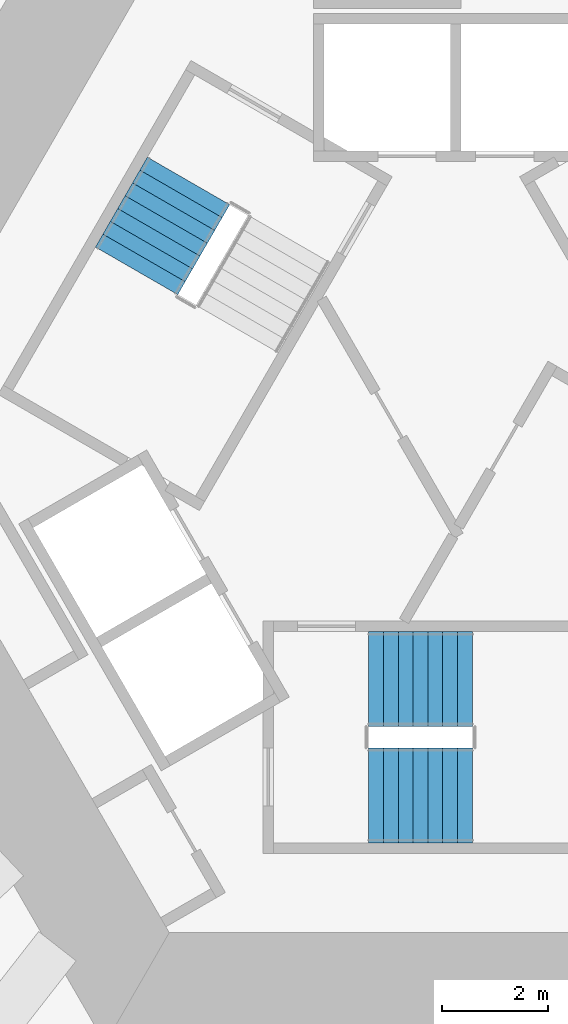
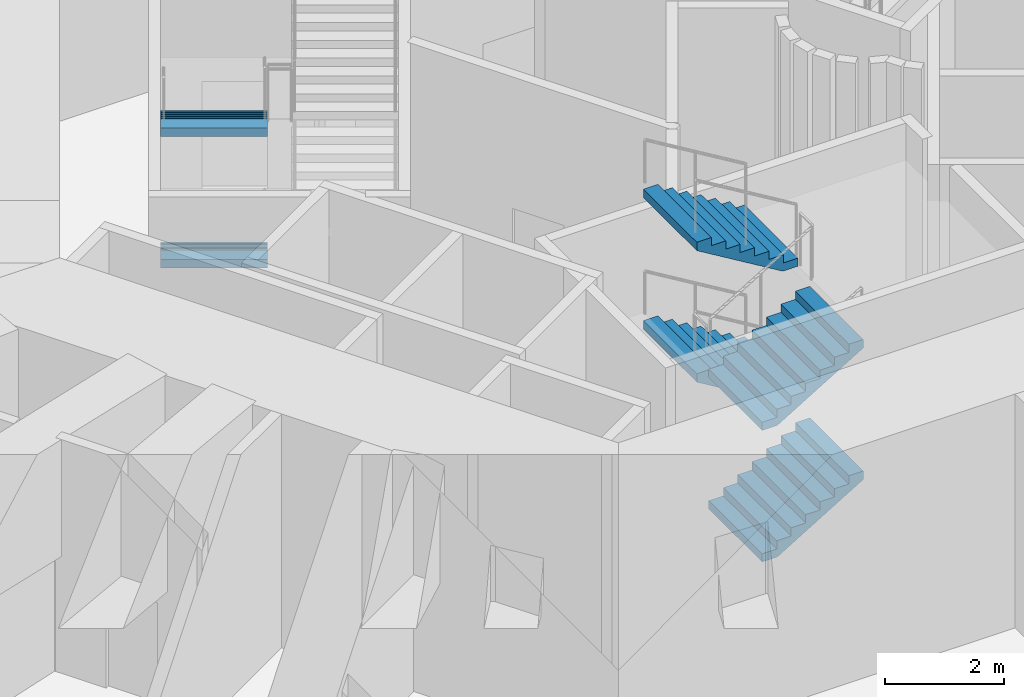
# One storey, part 13 of 21: 6 stair flights, 2 elements without a shape of their own.
"""IFC4 building model written with IfcOpenShell, lengths in metres."""

from ifc_helpers import new_model, si_unit, direction, frame, origin, place, context, subcontext, project, spatial, triangles, material, type_object, element, aggregate, save


model = new_model("IFC4")

# Units and contexts
model_context = context("Model", 3, precision=1e-05, world=origin(), true_north=direction((0.0, 1.0)))
body_context = subcontext(model_context, "Body", "Model", "MODEL_VIEW")
ifc_project = project(units=[si_unit("LENGTHUNIT", "METRE"), si_unit("AREAUNIT", "SQUARE_METRE"), si_unit("VOLUMEUNIT", "CUBIC_METRE"), si_unit("PLANEANGLEUNIT", "RADIAN"), si_unit("MASSUNIT", "GRAM", prefix="KILO")], contexts=[model_context])

# Site, building, storey
site_placement = place(None, origin())
site = spatial("IfcSite", under=ifc_project, at=site_placement, CompositionType="ELEMENT")
building_placement = place(site_placement, origin())
building = spatial("IfcBuilding", under=site, at=building_placement, Name="Entoto Arch Interchange Tower", CompositionType="ELEMENT")
storey_placement = place(building_placement, frame((0.0, 0.0, 236.0)))
storey = spatial("IfcBuildingStorey", under=building, at=storey_placement, Name="L53", CompositionType="ELEMENT", Elevation=236.0)

# Stair, stair flights
ifc_material = material(Name="Concrete C40/50", Category="concrete")
stair_type = type_object("IfcStairType", Name="EXIT STAIR RC 1800", PredefinedType="HALF_TURN_STAIR", material=ifc_material)
stair_1_placement = place(storey_placement, origin())
stair_1 = element("IfcStair", 1, at=stair_1_placement, inside=storey, type_object=stair_type, Name="L53 Exit stair S", PredefinedType="HALF_TURN_STAIR")
stair_flight_type = type_object("IfcStairFlightType", Name="EXIT STAIR FLIGHT RC 1800", PredefinedType="STRAIGHT", material=ifc_material)
stair_flight_1_placement = place(storey_placement, frame((-1.64990234375, -4.300048828125, 0.0), z_axis=(0.0, 0.0, 1.0), x_axis=(1.0, 0.0, 0.0)))
stair_flight_1 = element("IfcStairFlight", 2, at=stair_flight_1_placement, type_object=stair_flight_type, Name="ST-S flight 1", NumberOfRisers=8, NumberOfTreads=7, PredefinedType="STRAIGHT", RiserHeight=0.16875, TreadLength=0.28, context=body_context, shape_type="Tessellation", body=[
    triangles([(-0.003, -0.900024, 0.0), (-0.003, -0.900024, 0.16875), (0.28, -0.900024, 0.16875), (0.28, -0.900024, 0.3375), (0.56, -0.900024, 0.3375), (0.56, -0.900024, 0.50625), (0.84, -0.900024, 0.50625), (0.84, -0.900024, 0.675), (1.12, -0.900024, 0.675), (1.12, -0.900024, 0.84375), (1.4, -0.900024, 0.84375), (1.4, -0.900024, 1.0125), (1.68, -0.900024, 1.0125), (1.68, -0.900024, 1.18125), (1.96, -0.900024, 1.18125), (1.963, -0.900024, 1.18125), (1.963, -0.900024, 1.008036), (0.290406, -0.900024, 0.0), (-0.003, 0.900024, 0.0), (-0.003, 0.900024, 0.16875), (0.28, 0.900024, 0.16875), (0.28, 0.900024, 0.3375), (0.56, 0.900024, 0.3375), (0.56, 0.900024, 0.50625), (0.84, 0.900024, 0.50625), (0.84, 0.900024, 0.675), (1.12, 0.900024, 0.675), (1.12, 0.900024, 0.84375), (1.4, 0.900024, 0.84375), (1.4, 0.900024, 1.0125), (1.68, 0.900024, 1.0125), (1.68, 0.900024, 1.18125), (1.96, 0.900024, 1.18125), (1.963, 0.900024, 1.18125), (1.963, 0.900024, 1.008036), (0.290406, 0.900024, 0.0), (-0.003, -0.450012, 0.0), (-0.003, -0.450012, 0.16875), (-0.003, 0.0, 0.0), (-0.003, 0.0, 0.16875), (-0.003, 0.450012, 0.0), (-0.003, 0.450012, 0.16875), (0.28, -0.450012, 0.16875), (0.28, 0.0, 0.16875), (0.28, 0.450012, 0.16875), (0.28, -0.450012, 0.3375), (0.28, 0.0, 0.3375), (0.28, 0.450012, 0.3375), (0.56, -0.450012, 0.3375), (0.56, 0.0, 0.3375), (0.56, 0.450012, 0.3375), (0.56, -0.450012, 0.50625), (0.56, 0.0, 0.50625), (0.56, 0.450012, 0.50625), (0.84, -0.450012, 0.50625), (0.84, 0.0, 0.50625), (0.84, 0.450012, 0.50625), (0.84, -0.450012, 0.675), (0.84, 0.0, 0.675), (0.84, 0.450012, 0.675), (1.12, -0.450012, 0.675), (1.12, 0.0, 0.675), (1.12, 0.450012, 0.675), (1.12, -0.450012, 0.84375), (1.12, 0.0, 0.84375), (1.12, 0.450012, 0.84375), (1.4, -0.450012, 0.84375), (1.4, 0.0, 0.84375), (1.4, 0.450012, 0.84375), (1.4, -0.450012, 1.0125), (1.4, 0.0, 1.0125), (1.4, 0.450012, 1.0125), (1.68, -0.450012, 1.0125), (1.68, 0.0, 1.0125), (1.68, 0.450012, 1.0125), (1.68, -0.450012, 1.18125), (1.68, 0.0, 1.18125), (1.68, 0.450012, 1.18125), (1.96, -0.450012, 1.18125), (1.96, 0.0, 1.18125), (1.96, 0.450012, 1.18125), (1.963, -0.450012, 1.18125), (1.963, 0.0, 1.18125), (1.963, 0.450012, 1.18125), (1.963, -0.450012, 1.008036), (1.963, 0.0, 1.008036), (1.963, 0.450012, 1.008036), (0.290406, -0.450012, 0.0), (0.290406, 0.0, 0.0), (0.290406, 0.450012, 0.0)], [[1, 18, 17], [17, 16, 15], [17, 15, 14], [17, 14, 13], [17, 13, 12], [17, 12, 11], [11, 10, 9], [17, 11, 9], [9, 8, 7], [17, 9, 7], [7, 6, 5], [17, 7, 5], [5, 4, 3], [17, 5, 3], [1, 17, 3], [3, 2, 1], [19, 35, 36], [35, 33, 34], [35, 32, 33], [35, 31, 32], [35, 30, 31], [35, 29, 30], [29, 27, 28], [35, 27, 29], [27, 25, 26], [35, 25, 27], [25, 23, 24], [35, 23, 25], [23, 21, 22], [35, 21, 23], [19, 21, 35], [21, 19, 20], [1, 2, 38], [1, 38, 37], [37, 38, 40], [37, 40, 39], [39, 40, 42], [39, 42, 41], [41, 42, 20], [41, 20, 19], [2, 3, 43], [2, 43, 38], [38, 43, 44], [38, 44, 40], [40, 44, 45], [40, 45, 42], [42, 45, 21], [42, 21, 20], [3, 4, 46], [3, 46, 43], [43, 46, 47], [43, 47, 44], [44, 47, 48], [44, 48, 45], [45, 48, 22], [45, 22, 21], [4, 5, 49], [4, 49, 46], [46, 49, 50], [46, 50, 47], [47, 50, 51], [47, 51, 48], [48, 51, 23], [48, 23, 22], [5, 6, 52], [5, 52, 49], [49, 52, 53], [49, 53, 50], [50, 53, 54], [50, 54, 51], [51, 54, 24], [51, 24, 23], [6, 7, 55], [6, 55, 52], [52, 55, 56], [52, 56, 53], [53, 56, 57], [53, 57, 54], [54, 57, 25], [54, 25, 24], [7, 8, 58], [7, 58, 55], [55, 58, 59], [55, 59, 56], [56, 59, 60], [56, 60, 57], [57, 60, 26], [57, 26, 25], [8, 9, 61], [8, 61, 58], [58, 61, 62], [58, 62, 59], [59, 62, 63], [59, 63, 60], [60, 63, 27], [60, 27, 26], [9, 10, 64], [9, 64, 61], [61, 64, 65], [61, 65, 62], [62, 65, 66], [62, 66, 63], [63, 66, 28], [63, 28, 27], [10, 11, 67], [10, 67, 64], [64, 67, 68], [64, 68, 65], [65, 68, 69], [65, 69, 66], [66, 69, 29], [66, 29, 28], [11, 12, 70], [11, 70, 67], [67, 70, 71], [67, 71, 68], [68, 71, 72], [68, 72, 69], [69, 72, 30], [69, 30, 29], [12, 13, 73], [12, 73, 70], [70, 73, 74], [70, 74, 71], [71, 74, 75], [71, 75, 72], [72, 75, 31], [72, 31, 30], [13, 14, 76], [13, 76, 73], [73, 76, 77], [73, 77, 74], [74, 77, 78], [74, 78, 75], [75, 78, 32], [75, 32, 31], [14, 15, 79], [14, 79, 76], [76, 79, 80], [76, 80, 77], [77, 80, 81], [77, 81, 78], [78, 81, 33], [78, 33, 32], [15, 16, 82], [15, 82, 79], [79, 82, 83], [79, 83, 80], [80, 83, 84], [80, 84, 81], [81, 84, 34], [81, 34, 33], [16, 17, 85], [16, 85, 82], [82, 85, 86], [82, 86, 83], [83, 86, 87], [83, 87, 84], [84, 87, 35], [84, 35, 34], [17, 18, 88], [17, 88, 85], [85, 88, 89], [85, 89, 86], [86, 89, 90], [86, 90, 87], [87, 90, 36], [87, 36, 35], [18, 1, 37], [18, 37, 88], [88, 37, 39], [88, 39, 89], [89, 39, 41], [89, 41, 90], [90, 41, 19], [90, 19, 36]], closed=True),
])
stair_flight_2_placement = place(storey_placement, frame((0.31005859375, -2.10009765625, 1.35009765625), z_axis=(0.0, 0.0, 1.0), x_axis=(-1.0, 0.0, 0.0)))
stair_flight_2 = element("IfcStairFlight", 3, at=stair_flight_2_placement, type_object=stair_flight_type, Name="ST-S flight 2", NumberOfRisers=8, NumberOfTreads=7, PredefinedType="STRAIGHT", RiserHeight=0.16875, TreadLength=0.28, context=body_context, shape_type="Tessellation", body=[
    triangles([(-0.003, -0.900024, 0.0), (-0.003, -0.900024, 0.16875), (0.28, -0.900024, 0.16875), (0.28, -0.900024, 0.3375), (0.56, -0.900024, 0.3375), (0.56, -0.900024, 0.50625), (0.84, -0.900024, 0.50625), (0.84, -0.900024, 0.675), (1.12, -0.900024, 0.675), (1.12, -0.900024, 0.84375), (1.4, -0.900024, 0.84375), (1.4, -0.900024, 1.0125), (1.68, -0.900024, 1.0125), (1.68, -0.900024, 1.18125), (1.96, -0.900024, 1.18125), (1.963, -0.900024, 1.18125), (1.963, -0.900024, 1.008036), (0.290406, -0.900024, 0.0), (-0.003, 0.900024, 0.0), (-0.003, 0.900024, 0.16875), (0.28, 0.900024, 0.16875), (0.28, 0.900024, 0.3375), (0.56, 0.900024, 0.3375), (0.56, 0.900024, 0.50625), (0.84, 0.900024, 0.50625), (0.84, 0.900024, 0.675), (1.12, 0.900024, 0.675), (1.12, 0.900024, 0.84375), (1.4, 0.900024, 0.84375), (1.4, 0.900024, 1.0125), (1.68, 0.900024, 1.0125), (1.68, 0.900024, 1.18125), (1.96, 0.900024, 1.18125), (1.963, 0.900024, 1.18125), (1.963, 0.900024, 1.008036), (0.290406, 0.900024, 0.0), (-0.003, -0.450012, 0.0), (-0.003, -0.450012, 0.16875), (-0.003, 0.0, 0.0), (-0.003, 0.0, 0.16875), (-0.003, 0.450012, 0.0), (-0.003, 0.450012, 0.16875), (0.28, -0.450012, 0.16875), (0.28, 0.0, 0.16875), (0.28, 0.450012, 0.16875), (0.28, -0.450012, 0.3375), (0.28, 0.0, 0.3375), (0.28, 0.450012, 0.3375), (0.56, -0.450012, 0.3375), (0.56, 0.0, 0.3375), (0.56, 0.450012, 0.3375), (0.56, -0.450012, 0.50625), (0.56, 0.0, 0.50625), (0.56, 0.450012, 0.50625), (0.84, -0.450012, 0.50625), (0.84, 0.0, 0.50625), (0.84, 0.450012, 0.50625), (0.84, -0.450012, 0.675), (0.84, 0.0, 0.675), (0.84, 0.450012, 0.675), (1.12, -0.450012, 0.675), (1.12, 0.0, 0.675), (1.12, 0.450012, 0.675), (1.12, -0.450012, 0.84375), (1.12, 0.0, 0.84375), (1.12, 0.450012, 0.84375), (1.4, -0.450012, 0.84375), (1.4, 0.0, 0.84375), (1.4, 0.450012, 0.84375), (1.4, -0.450012, 1.0125), (1.4, 0.0, 1.0125), (1.4, 0.450012, 1.0125), (1.68, -0.450012, 1.0125), (1.68, 0.0, 1.0125), (1.68, 0.450012, 1.0125), (1.68, -0.450012, 1.18125), (1.68, 0.0, 1.18125), (1.68, 0.450012, 1.18125), (1.96, -0.450012, 1.18125), (1.96, 0.0, 1.18125), (1.96, 0.450012, 1.18125), (1.963, -0.450012, 1.18125), (1.963, 0.0, 1.18125), (1.963, 0.450012, 1.18125), (1.963, -0.450012, 1.008036), (1.963, 0.0, 1.008036), (1.963, 0.450012, 1.008036), (0.290406, -0.450012, 0.0), (0.290406, 0.0, 0.0), (0.290406, 0.450012, 0.0)], [[1, 18, 17], [17, 16, 15], [17, 15, 14], [17, 14, 13], [17, 13, 12], [17, 12, 11], [11, 10, 9], [17, 11, 9], [9, 8, 7], [17, 9, 7], [7, 6, 5], [17, 7, 5], [5, 4, 3], [17, 5, 3], [1, 17, 3], [3, 2, 1], [19, 35, 36], [35, 33, 34], [35, 32, 33], [35, 31, 32], [35, 30, 31], [35, 29, 30], [29, 27, 28], [35, 27, 29], [27, 25, 26], [35, 25, 27], [25, 23, 24], [35, 23, 25], [23, 21, 22], [35, 21, 23], [19, 21, 35], [21, 19, 20], [1, 2, 38], [1, 38, 37], [37, 38, 40], [37, 40, 39], [39, 40, 42], [39, 42, 41], [41, 42, 20], [41, 20, 19], [2, 3, 43], [2, 43, 38], [38, 43, 44], [38, 44, 40], [40, 44, 45], [40, 45, 42], [42, 45, 21], [42, 21, 20], [3, 4, 46], [3, 46, 43], [43, 46, 47], [43, 47, 44], [44, 47, 48], [44, 48, 45], [45, 48, 22], [45, 22, 21], [4, 5, 49], [4, 49, 46], [46, 49, 50], [46, 50, 47], [47, 50, 51], [47, 51, 48], [48, 51, 23], [48, 23, 22], [5, 6, 52], [5, 52, 49], [49, 52, 53], [49, 53, 50], [50, 53, 54], [50, 54, 51], [51, 54, 24], [51, 24, 23], [6, 7, 55], [6, 55, 52], [52, 55, 56], [52, 56, 53], [53, 56, 57], [53, 57, 54], [54, 57, 25], [54, 25, 24], [7, 8, 58], [7, 58, 55], [55, 58, 59], [55, 59, 56], [56, 59, 60], [56, 60, 57], [57, 60, 26], [57, 26, 25], [8, 9, 61], [8, 61, 58], [58, 61, 62], [58, 62, 59], [59, 62, 63], [59, 63, 60], [60, 63, 27], [60, 27, 26], [9, 10, 64], [9, 64, 61], [61, 64, 65], [61, 65, 62], [62, 65, 66], [62, 66, 63], [63, 66, 28], [63, 28, 27], [10, 11, 67], [10, 67, 64], [64, 67, 68], [64, 68, 65], [65, 68, 69], [65, 69, 66], [66, 69, 29], [66, 29, 28], [11, 12, 70], [11, 70, 67], [67, 70, 71], [67, 71, 68], [68, 71, 72], [68, 72, 69], [69, 72, 30], [69, 30, 29], [12, 13, 73], [12, 73, 70], [70, 73, 74], [70, 74, 71], [71, 74, 75], [71, 75, 72], [72, 75, 31], [72, 31, 30], [13, 14, 76], [13, 76, 73], [73, 76, 77], [73, 77, 74], [74, 77, 78], [74, 78, 75], [75, 78, 32], [75, 32, 31], [14, 15, 79], [14, 79, 76], [76, 79, 80], [76, 80, 77], [77, 80, 81], [77, 81, 78], [78, 81, 33], [78, 33, 32], [15, 16, 82], [15, 82, 79], [79, 82, 83], [79, 83, 80], [80, 83, 84], [80, 84, 81], [81, 84, 34], [81, 34, 33], [16, 17, 85], [16, 85, 82], [82, 85, 86], [82, 86, 83], [83, 86, 87], [83, 87, 84], [84, 87, 35], [84, 35, 34], [17, 18, 88], [17, 88, 85], [85, 88, 89], [85, 89, 86], [86, 89, 90], [86, 90, 87], [87, 90, 36], [87, 36, 35], [18, 1, 37], [18, 37, 88], [88, 37, 39], [88, 39, 89], [89, 39, 41], [89, 41, 90], [90, 41, 19], [90, 19, 36]], closed=True),
])
stair_flight_3_placement = place(storey_placement, frame((-1.64990234375, -4.300048828125, 2.699951171875), z_axis=(0.0, 0.0, 1.0), x_axis=(1.0, 0.0, 0.0)))
stair_flight_3 = element("IfcStairFlight", 4, at=stair_flight_3_placement, type_object=stair_flight_type, Name="ST-S flight 3", NumberOfRisers=8, NumberOfTreads=7, PredefinedType="STRAIGHT", RiserHeight=0.16875, TreadLength=0.28, context=body_context, shape_type="Tessellation", body=[
    triangles([(-0.003, -0.900024, 0.0), (-0.003, -0.900024, 0.16875), (0.28, -0.900024, 0.16875), (0.28, -0.900024, 0.3375), (0.56, -0.900024, 0.3375), (0.56, -0.900024, 0.50625), (0.84, -0.900024, 0.50625), (0.84, -0.900024, 0.675), (1.12, -0.900024, 0.675), (1.12, -0.900024, 0.84375), (1.4, -0.900024, 0.84375), (1.4, -0.900024, 1.0125), (1.68, -0.900024, 1.0125), (1.68, -0.900024, 1.18125), (1.96, -0.900024, 1.18125), (1.963, -0.900024, 1.18125), (1.963, -0.900024, 1.008036), (0.290406, -0.900024, 0.0), (-0.003, 0.900024, 0.0), (-0.003, 0.900024, 0.16875), (0.28, 0.900024, 0.16875), (0.28, 0.900024, 0.3375), (0.56, 0.900024, 0.3375), (0.56, 0.900024, 0.50625), (0.84, 0.900024, 0.50625), (0.84, 0.900024, 0.675), (1.12, 0.900024, 0.675), (1.12, 0.900024, 0.84375), (1.4, 0.900024, 0.84375), (1.4, 0.900024, 1.0125), (1.68, 0.900024, 1.0125), (1.68, 0.900024, 1.18125), (1.96, 0.900024, 1.18125), (1.963, 0.900024, 1.18125), (1.963, 0.900024, 1.008036), (0.290406, 0.900024, 0.0), (-0.003, -0.450012, 0.0), (-0.003, -0.450012, 0.16875), (-0.003, 0.0, 0.0), (-0.003, 0.0, 0.16875), (-0.003, 0.450012, 0.0), (-0.003, 0.450012, 0.16875), (0.28, -0.450012, 0.16875), (0.28, 0.0, 0.16875), (0.28, 0.450012, 0.16875), (0.28, -0.450012, 0.3375), (0.28, 0.0, 0.3375), (0.28, 0.450012, 0.3375), (0.56, -0.450012, 0.3375), (0.56, 0.0, 0.3375), (0.56, 0.450012, 0.3375), (0.56, -0.450012, 0.50625), (0.56, 0.0, 0.50625), (0.56, 0.450012, 0.50625), (0.84, -0.450012, 0.50625), (0.84, 0.0, 0.50625), (0.84, 0.450012, 0.50625), (0.84, -0.450012, 0.675), (0.84, 0.0, 0.675), (0.84, 0.450012, 0.675), (1.12, -0.450012, 0.675), (1.12, 0.0, 0.675), (1.12, 0.450012, 0.675), (1.12, -0.450012, 0.84375), (1.12, 0.0, 0.84375), (1.12, 0.450012, 0.84375), (1.4, -0.450012, 0.84375), (1.4, 0.0, 0.84375), (1.4, 0.450012, 0.84375), (1.4, -0.450012, 1.0125), (1.4, 0.0, 1.0125), (1.4, 0.450012, 1.0125), (1.68, -0.450012, 1.0125), (1.68, 0.0, 1.0125), (1.68, 0.450012, 1.0125), (1.68, -0.450012, 1.18125), (1.68, 0.0, 1.18125), (1.68, 0.450012, 1.18125), (1.96, -0.450012, 1.18125), (1.96, 0.0, 1.18125), (1.96, 0.450012, 1.18125), (1.963, -0.450012, 1.18125), (1.963, 0.0, 1.18125), (1.963, 0.450012, 1.18125), (1.963, -0.450012, 1.008036), (1.963, 0.0, 1.008036), (1.963, 0.450012, 1.008036), (0.290406, -0.450012, 0.0), (0.290406, 0.0, 0.0), (0.290406, 0.450012, 0.0)], [[1, 18, 17], [17, 16, 15], [17, 15, 14], [17, 14, 13], [17, 13, 12], [17, 12, 11], [11, 10, 9], [17, 11, 9], [9, 8, 7], [17, 9, 7], [7, 6, 5], [17, 7, 5], [5, 4, 3], [17, 5, 3], [1, 17, 3], [3, 2, 1], [19, 35, 36], [35, 33, 34], [35, 32, 33], [35, 31, 32], [35, 30, 31], [35, 29, 30], [29, 27, 28], [35, 27, 29], [27, 25, 26], [35, 25, 27], [25, 23, 24], [35, 23, 25], [23, 21, 22], [35, 21, 23], [19, 21, 35], [21, 19, 20], [1, 2, 38], [1, 38, 37], [37, 38, 40], [37, 40, 39], [39, 40, 42], [39, 42, 41], [41, 42, 20], [41, 20, 19], [2, 3, 43], [2, 43, 38], [38, 43, 44], [38, 44, 40], [40, 44, 45], [40, 45, 42], [42, 45, 21], [42, 21, 20], [3, 4, 46], [3, 46, 43], [43, 46, 47], [43, 47, 44], [44, 47, 48], [44, 48, 45], [45, 48, 22], [45, 22, 21], [4, 5, 49], [4, 49, 46], [46, 49, 50], [46, 50, 47], [47, 50, 51], [47, 51, 48], [48, 51, 23], [48, 23, 22], [5, 6, 52], [5, 52, 49], [49, 52, 53], [49, 53, 50], [50, 53, 54], [50, 54, 51], [51, 54, 24], [51, 24, 23], [6, 7, 55], [6, 55, 52], [52, 55, 56], [52, 56, 53], [53, 56, 57], [53, 57, 54], [54, 57, 25], [54, 25, 24], [7, 8, 58], [7, 58, 55], [55, 58, 59], [55, 59, 56], [56, 59, 60], [56, 60, 57], [57, 60, 26], [57, 26, 25], [8, 9, 61], [8, 61, 58], [58, 61, 62], [58, 62, 59], [59, 62, 63], [59, 63, 60], [60, 63, 27], [60, 27, 26], [9, 10, 64], [9, 64, 61], [61, 64, 65], [61, 65, 62], [62, 65, 66], [62, 66, 63], [63, 66, 28], [63, 28, 27], [10, 11, 67], [10, 67, 64], [64, 67, 68], [64, 68, 65], [65, 68, 69], [65, 69, 66], [66, 69, 29], [66, 29, 28], [11, 12, 70], [11, 70, 67], [67, 70, 71], [67, 71, 68], [68, 71, 72], [68, 72, 69], [69, 72, 30], [69, 30, 29], [12, 13, 73], [12, 73, 70], [70, 73, 74], [70, 74, 71], [71, 74, 75], [71, 75, 72], [72, 75, 31], [72, 31, 30], [13, 14, 76], [13, 76, 73], [73, 76, 77], [73, 77, 74], [74, 77, 78], [74, 78, 75], [75, 78, 32], [75, 32, 31], [14, 15, 79], [14, 79, 76], [76, 79, 80], [76, 80, 77], [77, 80, 81], [77, 81, 78], [78, 81, 33], [78, 33, 32], [15, 16, 82], [15, 82, 79], [79, 82, 83], [79, 83, 80], [80, 83, 84], [80, 84, 81], [81, 84, 34], [81, 34, 33], [16, 17, 85], [16, 85, 82], [82, 85, 86], [82, 86, 83], [83, 86, 87], [83, 87, 84], [84, 87, 35], [84, 35, 34], [17, 18, 88], [17, 88, 85], [85, 88, 89], [85, 89, 86], [86, 89, 90], [86, 90, 87], [87, 90, 36], [87, 36, 35], [18, 1, 37], [18, 37, 88], [88, 37, 39], [88, 39, 89], [89, 39, 41], [89, 41, 90], [90, 41, 19], [90, 19, 36]], closed=True),
])
stair_flight_4_placement = place(storey_placement, frame((0.31005859375, -2.10009765625, 4.050048828125), z_axis=(0.0, 0.0, 1.0), x_axis=(-1.0, 0.0, 0.0)))
stair_flight_4 = element("IfcStairFlight", 5, at=stair_flight_4_placement, type_object=stair_flight_type, Name="ST-S flight 4", NumberOfRisers=8, NumberOfTreads=7, PredefinedType="STRAIGHT", RiserHeight=0.16875, TreadLength=0.28, context=body_context, shape_type="Tessellation", body=[
    triangles([(-0.003, -0.900024, 0.0), (-0.003, -0.900024, 0.16875), (0.28, -0.900024, 0.16875), (0.28, -0.900024, 0.3375), (0.56, -0.900024, 0.3375), (0.56, -0.900024, 0.50625), (0.84, -0.900024, 0.50625), (0.84, -0.900024, 0.675), (1.12, -0.900024, 0.675), (1.12, -0.900024, 0.84375), (1.4, -0.900024, 0.84375), (1.4, -0.900024, 1.0125), (1.68, -0.900024, 1.0125), (1.68, -0.900024, 1.18125), (1.96, -0.900024, 1.18125), (1.963, -0.900024, 1.18125), (1.963, -0.900024, 1.008036), (0.290406, -0.900024, 0.0), (-0.003, 0.900024, 0.0), (-0.003, 0.900024, 0.16875), (0.28, 0.900024, 0.16875), (0.28, 0.900024, 0.3375), (0.56, 0.900024, 0.3375), (0.56, 0.900024, 0.50625), (0.84, 0.900024, 0.50625), (0.84, 0.900024, 0.675), (1.12, 0.900024, 0.675), (1.12, 0.900024, 0.84375), (1.4, 0.900024, 0.84375), (1.4, 0.900024, 1.0125), (1.68, 0.900024, 1.0125), (1.68, 0.900024, 1.18125), (1.96, 0.900024, 1.18125), (1.963, 0.900024, 1.18125), (1.963, 0.900024, 1.008036), (0.290406, 0.900024, 0.0), (-0.003, -0.450012, 0.0), (-0.003, -0.450012, 0.16875), (-0.003, 0.0, 0.0), (-0.003, 0.0, 0.16875), (-0.003, 0.450012, 0.0), (-0.003, 0.450012, 0.16875), (0.28, -0.450012, 0.16875), (0.28, 0.0, 0.16875), (0.28, 0.450012, 0.16875), (0.28, -0.450012, 0.3375), (0.28, 0.0, 0.3375), (0.28, 0.450012, 0.3375), (0.56, -0.450012, 0.3375), (0.56, 0.0, 0.3375), (0.56, 0.450012, 0.3375), (0.56, -0.450012, 0.50625), (0.56, 0.0, 0.50625), (0.56, 0.450012, 0.50625), (0.84, -0.450012, 0.50625), (0.84, 0.0, 0.50625), (0.84, 0.450012, 0.50625), (0.84, -0.450012, 0.675), (0.84, 0.0, 0.675), (0.84, 0.450012, 0.675), (1.12, -0.450012, 0.675), (1.12, 0.0, 0.675), (1.12, 0.450012, 0.675), (1.12, -0.450012, 0.84375), (1.12, 0.0, 0.84375), (1.12, 0.450012, 0.84375), (1.4, -0.450012, 0.84375), (1.4, 0.0, 0.84375), (1.4, 0.450012, 0.84375), (1.4, -0.450012, 1.0125), (1.4, 0.0, 1.0125), (1.4, 0.450012, 1.0125), (1.68, -0.450012, 1.0125), (1.68, 0.0, 1.0125), (1.68, 0.450012, 1.0125), (1.68, -0.450012, 1.18125), (1.68, 0.0, 1.18125), (1.68, 0.450012, 1.18125), (1.96, -0.450012, 1.18125), (1.96, 0.0, 1.18125), (1.96, 0.450012, 1.18125), (1.963, -0.450012, 1.18125), (1.963, 0.0, 1.18125), (1.963, 0.450012, 1.18125), (1.963, -0.450012, 1.008036), (1.963, 0.0, 1.008036), (1.963, 0.450012, 1.008036), (0.290406, -0.450012, 0.0), (0.290406, 0.0, 0.0), (0.290406, 0.450012, 0.0)], [[1, 18, 17], [17, 16, 15], [17, 15, 14], [17, 14, 13], [17, 13, 12], [17, 12, 11], [11, 10, 9], [17, 11, 9], [9, 8, 7], [17, 9, 7], [7, 6, 5], [17, 7, 5], [5, 4, 3], [17, 5, 3], [1, 17, 3], [3, 2, 1], [19, 35, 36], [35, 33, 34], [35, 32, 33], [35, 31, 32], [35, 30, 31], [35, 29, 30], [29, 27, 28], [35, 27, 29], [27, 25, 26], [35, 25, 27], [25, 23, 24], [35, 23, 25], [23, 21, 22], [35, 21, 23], [19, 21, 35], [21, 19, 20], [1, 2, 38], [1, 38, 37], [37, 38, 40], [37, 40, 39], [39, 40, 42], [39, 42, 41], [41, 42, 20], [41, 20, 19], [2, 3, 43], [2, 43, 38], [38, 43, 44], [38, 44, 40], [40, 44, 45], [40, 45, 42], [42, 45, 21], [42, 21, 20], [3, 4, 46], [3, 46, 43], [43, 46, 47], [43, 47, 44], [44, 47, 48], [44, 48, 45], [45, 48, 22], [45, 22, 21], [4, 5, 49], [4, 49, 46], [46, 49, 50], [46, 50, 47], [47, 50, 51], [47, 51, 48], [48, 51, 23], [48, 23, 22], [5, 6, 52], [5, 52, 49], [49, 52, 53], [49, 53, 50], [50, 53, 54], [50, 54, 51], [51, 54, 24], [51, 24, 23], [6, 7, 55], [6, 55, 52], [52, 55, 56], [52, 56, 53], [53, 56, 57], [53, 57, 54], [54, 57, 25], [54, 25, 24], [7, 8, 58], [7, 58, 55], [55, 58, 59], [55, 59, 56], [56, 59, 60], [56, 60, 57], [57, 60, 26], [57, 26, 25], [8, 9, 61], [8, 61, 58], [58, 61, 62], [58, 62, 59], [59, 62, 63], [59, 63, 60], [60, 63, 27], [60, 27, 26], [9, 10, 64], [9, 64, 61], [61, 64, 65], [61, 65, 62], [62, 65, 66], [62, 66, 63], [63, 66, 28], [63, 28, 27], [10, 11, 67], [10, 67, 64], [64, 67, 68], [64, 68, 65], [65, 68, 69], [65, 69, 66], [66, 69, 29], [66, 29, 28], [11, 12, 70], [11, 70, 67], [67, 70, 71], [67, 71, 68], [68, 71, 72], [68, 72, 69], [69, 72, 30], [69, 30, 29], [12, 13, 73], [12, 73, 70], [70, 73, 74], [70, 74, 71], [71, 74, 75], [71, 75, 72], [72, 75, 31], [72, 31, 30], [13, 14, 76], [13, 76, 73], [73, 76, 77], [73, 77, 74], [74, 77, 78], [74, 78, 75], [75, 78, 32], [75, 32, 31], [14, 15, 79], [14, 79, 76], [76, 79, 80], [76, 80, 77], [77, 80, 81], [77, 81, 78], [78, 81, 33], [78, 33, 32], [15, 16, 82], [15, 82, 79], [79, 82, 83], [79, 83, 80], [80, 83, 84], [80, 84, 81], [81, 84, 34], [81, 34, 33], [16, 17, 85], [16, 85, 82], [82, 85, 86], [82, 86, 83], [83, 86, 87], [83, 87, 84], [84, 87, 35], [84, 35, 34], [17, 18, 88], [17, 88, 85], [85, 88, 89], [85, 89, 86], [86, 89, 90], [86, 90, 87], [87, 90, 36], [87, 36, 35], [18, 1, 37], [18, 37, 88], [88, 37, 39], [88, 39, 89], [89, 39, 41], [89, 41, 90], [90, 41, 19], [90, 19, 36]], closed=True),
])
aggregate(stair_1, [stair_flight_1, stair_flight_2, stair_flight_3, stair_flight_4])

stair_2_placement = place(storey_placement, origin())
stair_2 = element("IfcStair", 6, at=stair_2_placement, inside=storey, type_object=stair_type, Name="L53 Exit stair NW", PredefinedType="HALF_TURN_STAIR")
stair_flight_5_placement = place(storey_placement, frame((-5.06396484375, 7.328857421875, 0.0), z_axis=(0.0, 0.0, 1.0), x_axis=(-0.5, -0.866025403784, 0.0)))
stair_flight_5 = element("IfcStairFlight", 7, at=stair_flight_5_placement, type_object=stair_flight_type, Name="ST-NW flight 1", NumberOfRisers=8, NumberOfTreads=7, PredefinedType="STRAIGHT", RiserHeight=0.16875, TreadLength=0.28, context=body_context, shape_type="Tessellation", body=[
    triangles([(-0.003, -0.900024, 0.0), (-0.003, -0.900024, 0.16875), (0.28, -0.900024, 0.16875), (0.28, -0.900024, 0.3375), (0.56, -0.900024, 0.3375), (0.56, -0.900024, 0.50625), (0.84, -0.900024, 0.50625), (0.84, -0.900024, 0.675), (1.12, -0.900024, 0.675), (1.12, -0.900024, 0.84375), (1.4, -0.900024, 0.84375), (1.4, -0.900024, 1.0125), (1.68, -0.900024, 1.0125), (1.68, -0.900024, 1.18125), (1.96, -0.900024, 1.18125), (1.963, -0.900024, 1.18125), (1.963, -0.900024, 1.008036), (0.290406, -0.900024, 0.0), (-0.003, 0.900024, 0.0), (-0.003, 0.900024, 0.16875), (0.28, 0.900024, 0.16875), (0.28, 0.900024, 0.3375), (0.56, 0.900024, 0.3375), (0.56, 0.900024, 0.50625), (0.84, 0.900024, 0.50625), (0.84, 0.900024, 0.675), (1.12, 0.900024, 0.675), (1.12, 0.900024, 0.84375), (1.4, 0.900024, 0.84375), (1.4, 0.900024, 1.0125), (1.68, 0.900024, 1.0125), (1.68, 0.900024, 1.18125), (1.96, 0.900024, 1.18125), (1.963, 0.900024, 1.18125), (1.963, 0.900024, 1.008036), (0.290406, 0.900024, 0.0), (-0.003, -0.450012, 0.0), (-0.003, -0.450012, 0.16875), (-0.003, 0.0, 0.0), (-0.003, 0.0, 0.16875), (-0.003, 0.450012, 0.0), (-0.003, 0.450012, 0.16875), (0.28, -0.450012, 0.16875), (0.28, 0.0, 0.16875), (0.28, 0.450012, 0.16875), (0.28, -0.450012, 0.3375), (0.28, 0.0, 0.3375), (0.28, 0.450012, 0.3375), (0.56, -0.450012, 0.3375), (0.56, 0.0, 0.3375), (0.56, 0.450012, 0.3375), (0.56, -0.450012, 0.50625), (0.56, 0.0, 0.50625), (0.56, 0.450012, 0.50625), (0.84, -0.450012, 0.50625), (0.84, 0.0, 0.50625), (0.84, 0.450012, 0.50625), (0.84, -0.450012, 0.675), (0.84, 0.0, 0.675), (0.84, 0.450012, 0.675), (1.12, -0.450012, 0.675), (1.12, 0.0, 0.675), (1.12, 0.450012, 0.675), (1.12, -0.450012, 0.84375), (1.12, 0.0, 0.84375), (1.12, 0.450012, 0.84375), (1.4, -0.450012, 0.84375), (1.4, 0.0, 0.84375), (1.4, 0.450012, 0.84375), (1.4, -0.450012, 1.0125), (1.4, 0.0, 1.0125), (1.4, 0.450012, 1.0125), (1.68, -0.450012, 1.0125), (1.68, 0.0, 1.0125), (1.68, 0.450012, 1.0125), (1.68, -0.450012, 1.18125), (1.68, 0.0, 1.18125), (1.68, 0.450012, 1.18125), (1.96, -0.450012, 1.18125), (1.96, 0.0, 1.18125), (1.96, 0.450012, 1.18125), (1.963, -0.450012, 1.18125), (1.963, 0.0, 1.18125), (1.963, 0.450012, 1.18125), (1.963, -0.450012, 1.008036), (1.963, 0.0, 1.008036), (1.963, 0.450012, 1.008036), (0.290406, -0.450012, 0.0), (0.290406, 0.0, 0.0), (0.290406, 0.450012, 0.0)], [[1, 18, 17], [17, 16, 15], [17, 15, 14], [17, 14, 13], [17, 13, 12], [17, 12, 11], [11, 10, 9], [17, 11, 9], [9, 8, 7], [17, 9, 7], [7, 6, 5], [17, 7, 5], [5, 4, 3], [17, 5, 3], [1, 17, 3], [3, 2, 1], [19, 35, 36], [35, 33, 34], [35, 32, 33], [35, 31, 32], [35, 30, 31], [35, 29, 30], [29, 27, 28], [35, 27, 29], [27, 25, 26], [35, 25, 27], [25, 23, 24], [35, 23, 25], [23, 21, 22], [35, 21, 23], [19, 21, 35], [21, 19, 20], [1, 2, 38], [1, 38, 37], [37, 38, 40], [37, 40, 39], [39, 40, 42], [39, 42, 41], [41, 42, 20], [41, 20, 19], [2, 3, 43], [2, 43, 38], [38, 43, 44], [38, 44, 40], [40, 44, 45], [40, 45, 42], [42, 45, 21], [42, 21, 20], [3, 4, 46], [3, 46, 43], [43, 46, 47], [43, 47, 44], [44, 47, 48], [44, 48, 45], [45, 48, 22], [45, 22, 21], [4, 5, 49], [4, 49, 46], [46, 49, 50], [46, 50, 47], [47, 50, 51], [47, 51, 48], [48, 51, 23], [48, 23, 22], [5, 6, 52], [5, 52, 49], [49, 52, 53], [49, 53, 50], [50, 53, 54], [50, 54, 51], [51, 54, 24], [51, 24, 23], [6, 7, 55], [6, 55, 52], [52, 55, 56], [52, 56, 53], [53, 56, 57], [53, 57, 54], [54, 57, 25], [54, 25, 24], [7, 8, 58], [7, 58, 55], [55, 58, 59], [55, 59, 56], [56, 59, 60], [56, 60, 57], [57, 60, 26], [57, 26, 25], [8, 9, 61], [8, 61, 58], [58, 61, 62], [58, 62, 59], [59, 62, 63], [59, 63, 60], [60, 63, 27], [60, 27, 26], [9, 10, 64], [9, 64, 61], [61, 64, 65], [61, 65, 62], [62, 65, 66], [62, 66, 63], [63, 66, 28], [63, 28, 27], [10, 11, 67], [10, 67, 64], [64, 67, 68], [64, 68, 65], [65, 68, 69], [65, 69, 66], [66, 69, 29], [66, 29, 28], [11, 12, 70], [11, 70, 67], [67, 70, 71], [67, 71, 68], [68, 71, 72], [68, 72, 69], [69, 72, 30], [69, 30, 29], [12, 13, 73], [12, 73, 70], [70, 73, 74], [70, 74, 71], [71, 74, 75], [71, 75, 72], [72, 75, 31], [72, 31, 30], [13, 14, 76], [13, 76, 73], [73, 76, 77], [73, 77, 74], [74, 77, 78], [74, 78, 75], [75, 78, 32], [75, 32, 31], [14, 15, 79], [14, 79, 76], [76, 79, 80], [76, 80, 77], [77, 80, 81], [77, 81, 78], [78, 81, 33], [78, 33, 32], [15, 16, 82], [15, 82, 79], [79, 82, 83], [79, 83, 80], [80, 83, 84], [80, 84, 81], [81, 84, 34], [81, 34, 33], [16, 17, 85], [16, 85, 82], [82, 85, 86], [82, 86, 83], [83, 86, 87], [83, 87, 84], [84, 87, 35], [84, 35, 34], [17, 18, 88], [17, 88, 85], [85, 88, 89], [85, 89, 86], [86, 89, 90], [86, 90, 87], [87, 90, 36], [87, 36, 35], [18, 1, 37], [18, 37, 88], [88, 37, 39], [88, 39, 89], [89, 39, 41], [89, 41, 90], [90, 41, 19], [90, 19, 36]], closed=True),
])
stair_flight_6_placement = place(storey_placement, frame((-5.06396484375, 7.328857421875, 2.699951171875), z_axis=(0.0, 0.0, 1.0), x_axis=(-0.5, -0.866025403784, 0.0)))
stair_flight_6 = element("IfcStairFlight", 8, at=stair_flight_6_placement, type_object=stair_flight_type, Name="ST-NW flight 3", NumberOfRisers=8, NumberOfTreads=7, PredefinedType="STRAIGHT", RiserHeight=0.16875, TreadLength=0.28, context=body_context, shape_type="Tessellation", body=[
    triangles([(-0.003, -0.900024, 0.0), (-0.003, -0.900024, 0.16875), (0.28, -0.900024, 0.16875), (0.28, -0.900024, 0.3375), (0.56, -0.900024, 0.3375), (0.56, -0.900024, 0.50625), (0.84, -0.900024, 0.50625), (0.84, -0.900024, 0.675), (1.12, -0.900024, 0.675), (1.12, -0.900024, 0.84375), (1.4, -0.900024, 0.84375), (1.4, -0.900024, 1.0125), (1.68, -0.900024, 1.0125), (1.68, -0.900024, 1.18125), (1.96, -0.900024, 1.18125), (1.963, -0.900024, 1.18125), (1.963, -0.900024, 1.008036), (0.290406, -0.900024, 0.0), (-0.003, 0.900024, 0.0), (-0.003, 0.900024, 0.16875), (0.28, 0.900024, 0.16875), (0.28, 0.900024, 0.3375), (0.56, 0.900024, 0.3375), (0.56, 0.900024, 0.50625), (0.84, 0.900024, 0.50625), (0.84, 0.900024, 0.675), (1.12, 0.900024, 0.675), (1.12, 0.900024, 0.84375), (1.4, 0.900024, 0.84375), (1.4, 0.900024, 1.0125), (1.68, 0.900024, 1.0125), (1.68, 0.900024, 1.18125), (1.96, 0.900024, 1.18125), (1.963, 0.900024, 1.18125), (1.963, 0.900024, 1.008036), (0.290406, 0.900024, 0.0), (-0.003, -0.450012, 0.0), (-0.003, -0.450012, 0.16875), (-0.003, 0.0, 0.0), (-0.003, 0.0, 0.16875), (-0.003, 0.450012, 0.0), (-0.003, 0.450012, 0.16875), (0.28, -0.450012, 0.16875), (0.28, 0.0, 0.16875), (0.28, 0.450012, 0.16875), (0.28, -0.450012, 0.3375), (0.28, 0.0, 0.3375), (0.28, 0.450012, 0.3375), (0.56, -0.450012, 0.3375), (0.56, 0.0, 0.3375), (0.56, 0.450012, 0.3375), (0.56, -0.450012, 0.50625), (0.56, 0.0, 0.50625), (0.56, 0.450012, 0.50625), (0.84, -0.450012, 0.50625), (0.84, 0.0, 0.50625), (0.84, 0.450012, 0.50625), (0.84, -0.450012, 0.675), (0.84, 0.0, 0.675), (0.84, 0.450012, 0.675), (1.12, -0.450012, 0.675), (1.12, 0.0, 0.675), (1.12, 0.450012, 0.675), (1.12, -0.450012, 0.84375), (1.12, 0.0, 0.84375), (1.12, 0.450012, 0.84375), (1.4, -0.450012, 0.84375), (1.4, 0.0, 0.84375), (1.4, 0.450012, 0.84375), (1.4, -0.450012, 1.0125), (1.4, 0.0, 1.0125), (1.4, 0.450012, 1.0125), (1.68, -0.450012, 1.0125), (1.68, 0.0, 1.0125), (1.68, 0.450012, 1.0125), (1.68, -0.450012, 1.18125), (1.68, 0.0, 1.18125), (1.68, 0.450012, 1.18125), (1.96, -0.450012, 1.18125), (1.96, 0.0, 1.18125), (1.96, 0.450012, 1.18125), (1.963, -0.450012, 1.18125), (1.963, 0.0, 1.18125), (1.963, 0.450012, 1.18125), (1.963, -0.450012, 1.008036), (1.963, 0.0, 1.008036), (1.963, 0.450012, 1.008036), (0.290406, -0.450012, 0.0), (0.290406, 0.0, 0.0), (0.290406, 0.450012, 0.0)], [[1, 18, 17], [17, 16, 15], [17, 15, 14], [17, 14, 13], [17, 13, 12], [17, 12, 11], [11, 10, 9], [17, 11, 9], [9, 8, 7], [17, 9, 7], [7, 6, 5], [17, 7, 5], [5, 4, 3], [17, 5, 3], [1, 17, 3], [3, 2, 1], [19, 35, 36], [35, 33, 34], [35, 32, 33], [35, 31, 32], [35, 30, 31], [35, 29, 30], [29, 27, 28], [35, 27, 29], [27, 25, 26], [35, 25, 27], [25, 23, 24], [35, 23, 25], [23, 21, 22], [35, 21, 23], [19, 21, 35], [21, 19, 20], [1, 2, 38], [1, 38, 37], [37, 38, 40], [37, 40, 39], [39, 40, 42], [39, 42, 41], [41, 42, 20], [41, 20, 19], [2, 3, 43], [2, 43, 38], [38, 43, 44], [38, 44, 40], [40, 44, 45], [40, 45, 42], [42, 45, 21], [42, 21, 20], [3, 4, 46], [3, 46, 43], [43, 46, 47], [43, 47, 44], [44, 47, 48], [44, 48, 45], [45, 48, 22], [45, 22, 21], [4, 5, 49], [4, 49, 46], [46, 49, 50], [46, 50, 47], [47, 50, 51], [47, 51, 48], [48, 51, 23], [48, 23, 22], [5, 6, 52], [5, 52, 49], [49, 52, 53], [49, 53, 50], [50, 53, 54], [50, 54, 51], [51, 54, 24], [51, 24, 23], [6, 7, 55], [6, 55, 52], [52, 55, 56], [52, 56, 53], [53, 56, 57], [53, 57, 54], [54, 57, 25], [54, 25, 24], [7, 8, 58], [7, 58, 55], [55, 58, 59], [55, 59, 56], [56, 59, 60], [56, 60, 57], [57, 60, 26], [57, 26, 25], [8, 9, 61], [8, 61, 58], [58, 61, 62], [58, 62, 59], [59, 62, 63], [59, 63, 60], [60, 63, 27], [60, 27, 26], [9, 10, 64], [9, 64, 61], [61, 64, 65], [61, 65, 62], [62, 65, 66], [62, 66, 63], [63, 66, 28], [63, 28, 27], [10, 11, 67], [10, 67, 64], [64, 67, 68], [64, 68, 65], [65, 68, 69], [65, 69, 66], [66, 69, 29], [66, 29, 28], [11, 12, 70], [11, 70, 67], [67, 70, 71], [67, 71, 68], [68, 71, 72], [68, 72, 69], [69, 72, 30], [69, 30, 29], [12, 13, 73], [12, 73, 70], [70, 73, 74], [70, 74, 71], [71, 74, 75], [71, 75, 72], [72, 75, 31], [72, 31, 30], [13, 14, 76], [13, 76, 73], [73, 76, 77], [73, 77, 74], [74, 77, 78], [74, 78, 75], [75, 78, 32], [75, 32, 31], [14, 15, 79], [14, 79, 76], [76, 79, 80], [76, 80, 77], [77, 80, 81], [77, 81, 78], [78, 81, 33], [78, 33, 32], [15, 16, 82], [15, 82, 79], [79, 82, 83], [79, 83, 80], [80, 83, 84], [80, 84, 81], [81, 84, 34], [81, 34, 33], [16, 17, 85], [16, 85, 82], [82, 85, 86], [82, 86, 83], [83, 86, 87], [83, 87, 84], [84, 87, 35], [84, 35, 34], [17, 18, 88], [17, 88, 85], [85, 88, 89], [85, 89, 86], [86, 89, 90], [86, 90, 87], [87, 90, 36], [87, 36, 35], [18, 1, 37], [18, 37, 88], [88, 37, 39], [88, 39, 89], [89, 39, 41], [89, 41, 90], [90, 41, 19], [90, 19, 36]], closed=True),
])
aggregate(stair_2, [stair_flight_5, stair_flight_6])

save(model, "model.ifc")
